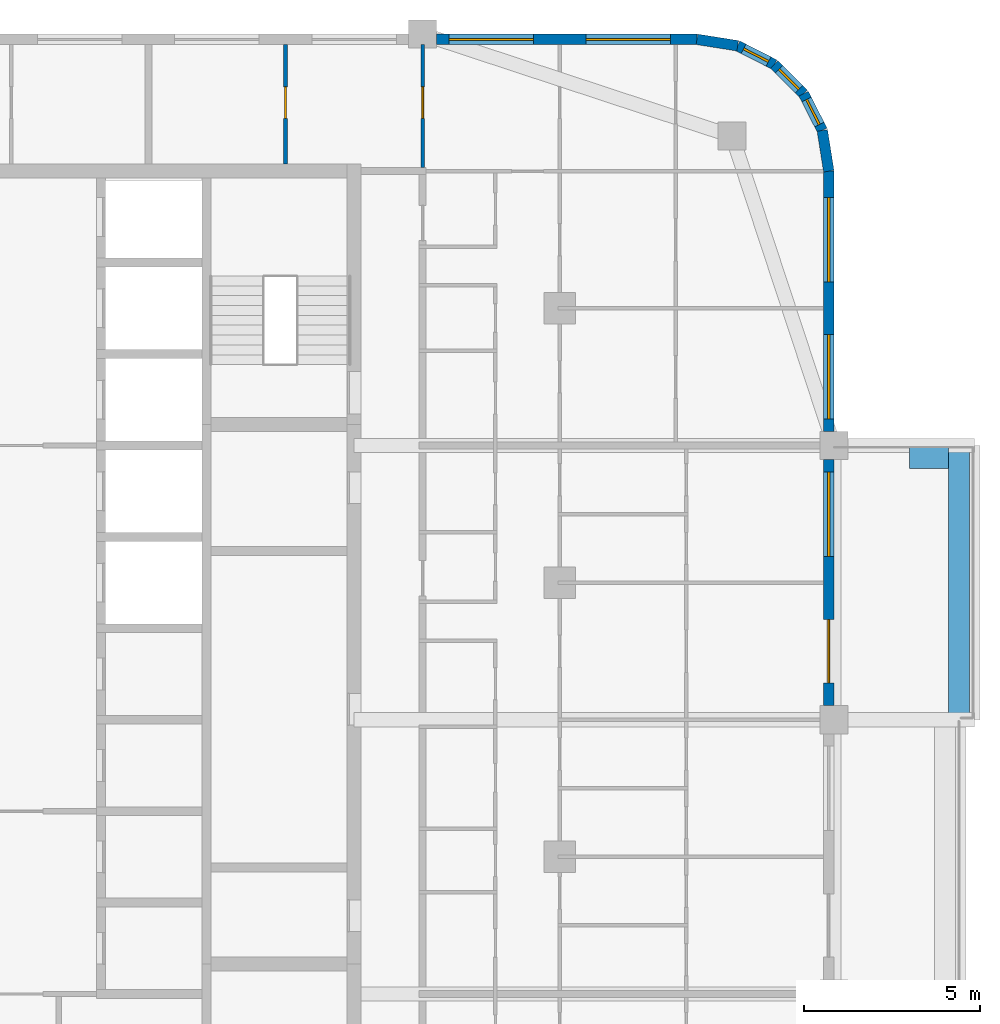
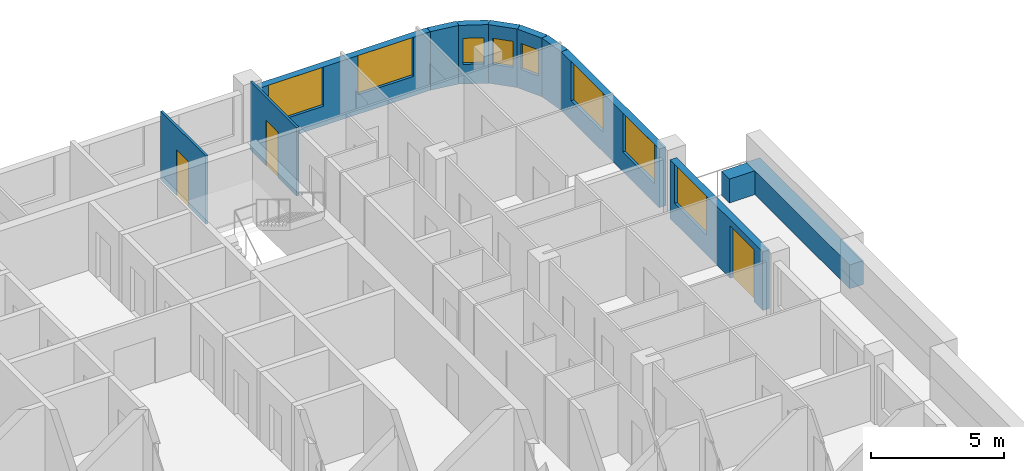
# One storey, part 12 of 16: 12 walls, 8 windows, 3 doors, 11 openings.
"""IFC4 building model written with IfcOpenShell, lengths in metres."""

from ifc_helpers import new_model, si_unit, direction, frame, frame_2d, origin, place, context, subcontext, project, spatial, rectangle, extrude, material, layer, layer_set, type_object, element, fill, save


model = new_model("IFC4")

# Units and contexts
model_context = context("Model", 3, precision=1e-05, world=origin(), true_north=direction((0.0, 1.0)))
body_context = subcontext(model_context, "Body", "Model", "MODEL_VIEW")
ifc_project = project(units=[si_unit("LENGTHUNIT", "METRE"), si_unit("AREAUNIT", "SQUARE_METRE"), si_unit("VOLUMEUNIT", "CUBIC_METRE"), si_unit("PLANEANGLEUNIT", "RADIAN"), si_unit("MASSUNIT", "GRAM", prefix="KILO")], contexts=[model_context])

# Site, building, storey
site_placement = place(None, origin())
site = spatial("IfcSite", under=ifc_project, at=site_placement, CompositionType="ELEMENT")
building_placement = place(site_placement, origin())
building = spatial("IfcBuilding", under=site, at=building_placement, Name="Ludao Terraces", CompositionType="ELEMENT")
storey_placement = place(building_placement, frame((0.0, 0.0, 227.89990234375)))
storey = spatial("IfcBuildingStorey", under=building, at=storey_placement, Name="L62", CompositionType="ELEMENT", Elevation=227.89990234375)

# Walls
ifc_material_1 = material(Name="Concrete C40", Category="concrete")
ifc_layer_1 = layer(ifc_material_1, 0.60009765625)
ifc_layer_set_1 = layer_set([ifc_layer_1], Name="ENV Planter trough 600")
wall_type_1 = type_object("IfcWallType", Name="ENV Planter trough 600", PredefinedType="USERDEFINED", material=ifc_layer_set_1)
wall_1_placement = place(storey_placement, frame((111.949951171875, 68.89990234375, 0.0), z_axis=(0.0, 0.0, 1.0), x_axis=(0.0, 1.0, 0.0)))
element("IfcWall", 1, at=wall_1_placement, inside=storey, type_object=wall_type_1, Name="PL-L62-E3", ObjectType="PLANTER", PredefinedType="USERDEFINED", context=body_context, shape_type="SweptSolid", body=[
    extrude(rectangle(XDim=7.800048828125, YDim=0.60009765625, at=frame_2d((3.89990234375, 0.0))), origin(), (0.0, 0.0, 1.0), 1.10009765625),
])
wall_2_placement = place(storey_placement, frame((111.64990234375, 76.35009765625, 0.0), z_axis=(0.0, 0.0, 1.0), x_axis=(-1.0, 0.0, 0.0)))
element("IfcWall", 2, at=wall_2_placement, inside=storey, type_object=wall_type_1, Name="PL-L62-E3-SB", ObjectType="PLANTER", PredefinedType="USERDEFINED", context=body_context, shape_type="SweptSolid", body=[
    extrude(rectangle(XDim=1.099853515625, YDim=0.60009765625, at=frame_2d((0.5498046875, 0.0))), origin(), (0.0, 0.0, 1.0), 1.10009765625),
])

# Wall, openings, door, window
ifc_material_2 = material(Name="Granite cladding", Category="masonry")
ifc_layer_2 = layer(ifc_material_2, 0.0400390625, Category="stone")
ifc_material_3 = material(Name="Mineral wool")
ifc_layer_3 = layer(ifc_material_3, 0.06005859375)
ifc_layer_4 = layer(ifc_material_1, 0.199951171875, Category="concrete")
ifc_layer_set_2 = layer_set([ifc_layer_2, ifc_layer_3, ifc_layer_4], Name="ENV Stone-clad wall 300")
wall_type_2 = type_object("IfcWallType", Name="ENV Stone-clad wall 300", PredefinedType="SOLIDWALL", material=ifc_layer_set_2)
wall_3_placement = place(storey_placement, frame((108.25, 69.300048828125, 0.0), z_axis=(0.0, 0.0, 1.0), x_axis=(0.0, 1.0, 0.0)))
wall_3 = element("IfcWall", 3, at=wall_3_placement, inside=storey, type_object=wall_type_2, Name="EW-L62-E4", PredefinedType="SOLIDWALL", context=body_context, shape_type="SweptSolid", body=[
    extrude(rectangle(XDim=7.0, YDim=0.300048828125, at=frame_2d((3.5, 0.0))), origin(), (0.0, 0.0, 1.0), 2.7001953125),
])
opening_1_placement = place(wall_3_placement, frame((0.64990234375, 0.0, 0.0)))
opening_1 = element("IfcOpeningElement", 4, at=opening_1_placement, cuts=wall_3, Name="Opening BD", PredefinedType="OPENING", context=body_context, shape_type="SweptSolid", body=[
    extrude(rectangle(XDim=1.800048828125, YDim=2.39990234375, at=frame_2d((0.89990234375, 1.199951171875))), frame((0.0, 0.16015625, 0.0), z_axis=(0.0, -1.0, 0.0), x_axis=(1.0, 0.0, 0.0)), (0.0, 0.0, 1.0), 0.320068359375),
])
opening_2_placement = place(wall_3_placement, frame((4.25, 0.0, 0.89990234375)))
opening_2 = element("IfcOpeningElement", 5, at=opening_2_placement, cuts=wall_3, Name="Opening W1", PredefinedType="OPENING", context=body_context, shape_type="SweptSolid", body=[
    extrude(rectangle(XDim=2.39990234375, YDim=1.800048828125, at=frame_2d((1.199951171875, 0.89990234375))), frame((0.0, 0.16015625, 0.0), z_axis=(0.0, -1.0, 0.0), x_axis=(1.0, 0.0, 0.0)), (0.0, 0.0, 1.0), 0.320068359375),
])
ifc_material_4 = material(Name="Aluminium glazed door", Category="aluminium")
ifc_layer_5 = layer(ifc_material_4, 0.06005859375)
ifc_layer_set_3 = layer_set([ifc_layer_5], Name="ENV Balcony door BD 1800x2400")
door_type_1 = type_object("IfcDoorType", Name="ENV Balcony door BD 1800x2400", OperationType="DOUBLE_DOOR_SINGLE_SWING", PredefinedType="DOOR", material=ifc_layer_set_3)
door_1_placement = place(opening_1_placement, origin())
door_1 = element("IfcDoor", 6, at=door_1_placement, inside=storey, type_object=door_type_1, Name="BD-L62-E4-1", OperationType="DOUBLE_DOOR_SINGLE_SWING", OverallHeight=2.39990234375, OverallWidth=1.800048828125, PredefinedType="DOOR", context=body_context, shape_type="SweptSolid", body=[
    extrude(rectangle(XDim=1.800048828125, YDim=2.39990234375, at=frame_2d((0.89990234375, 1.199951171875))), frame((0.0, 0.02490234375, 0.0), z_axis=(0.0, -1.0, 0.0), x_axis=(1.0, 0.0, 0.0)), (0.0, 0.0, 1.0), 0.050048828125),
])
fill(opening_1, door_1)
ifc_material_5 = material(Name="Clear glass in aluminium frame", Category="aluminium")
ifc_layer_6 = layer(ifc_material_5, 0.06005859375)
ifc_layer_set_4 = layer_set([ifc_layer_6], Name="ENV Window W1 2400x1800")
window_type_1 = type_object("IfcWindowType", Name="ENV Window W1 2400x1800", PartitioningType="DOUBLE_PANEL_VERTICAL", PredefinedType="WINDOW", material=ifc_layer_set_4)
window_1_placement = place(opening_2_placement, origin())
window_1 = element("IfcWindow", 7, at=window_1_placement, inside=storey, type_object=window_type_1, Name="W-L62-E4-2", OverallHeight=1.800048828125, OverallWidth=2.39990234375, PartitioningType="DOUBLE_PANEL_VERTICAL", PredefinedType="WINDOW", context=body_context, shape_type="SweptSolid", body=[
    extrude(rectangle(XDim=2.39990234375, YDim=1.800048828125, at=frame_2d((1.199951171875, 0.89990234375))), frame((0.0, 0.030029296875, 0.0), z_axis=(0.0, -1.0, 0.0), x_axis=(1.0, 0.0, 0.0)), (0.0, 0.0, 1.0), 0.06005859375),
])
fill(opening_2, window_1)

# Wall, openings, windows
wall_4_placement = place(storey_placement, frame((108.25, 77.10009765625, 0.0), z_axis=(0.0, 0.0, 1.0), x_axis=(0.0, 1.0, 0.0)))
wall_4 = element("IfcWall", 8, at=wall_4_placement, inside=storey, type_object=wall_type_2, Name="EW-L62-E5", PredefinedType="SOLIDWALL", context=body_context, shape_type="SweptSolid", body=[
    extrude(rectangle(XDim=7.39990234375, YDim=0.300048828125, at=frame_2d((3.699951171875, 0.0))), origin(), (0.0, 0.0, 1.0), 2.7001953125),
])
opening_3_placement = place(wall_4_placement, frame((0.35009765625, 0.0, 0.89990234375)))
opening_3 = element("IfcOpeningElement", 9, at=opening_3_placement, cuts=wall_4, Name="Opening W1", PredefinedType="OPENING", context=body_context, shape_type="SweptSolid", body=[
    extrude(rectangle(XDim=2.39990234375, YDim=1.800048828125, at=frame_2d((1.199951171875, 0.89990234375))), frame((0.0, 0.16015625, 0.0), z_axis=(0.0, -1.0, 0.0), x_axis=(1.0, 0.0, 0.0)), (0.0, 0.0, 1.0), 0.320068359375),
])
opening_4_placement = place(wall_4_placement, frame((4.25, 0.0, 0.89990234375)))
opening_4 = element("IfcOpeningElement", 10, at=opening_4_placement, cuts=wall_4, Name="Opening W1", PredefinedType="OPENING", context=body_context, shape_type="SweptSolid", body=[
    extrude(rectangle(XDim=2.39990234375, YDim=1.800048828125, at=frame_2d((1.199951171875, 0.89990234375))), frame((0.0, 0.16015625, 0.0), z_axis=(0.0, -1.0, 0.0), x_axis=(1.0, 0.0, 0.0)), (0.0, 0.0, 1.0), 0.320068359375),
])
window_2_placement = place(opening_3_placement, origin())
window_2 = element("IfcWindow", 11, at=window_2_placement, inside=storey, type_object=window_type_1, Name="W-L62-E5-1", OverallHeight=1.800048828125, OverallWidth=2.39990234375, PartitioningType="DOUBLE_PANEL_VERTICAL", PredefinedType="WINDOW", context=body_context, shape_type="SweptSolid", body=[
    extrude(rectangle(XDim=2.39990234375, YDim=1.800048828125, at=frame_2d((1.199951171875, 0.89990234375))), frame((0.0, 0.030029296875, 0.0), z_axis=(0.0, -1.0, 0.0), x_axis=(1.0, 0.0, 0.0)), (0.0, 0.0, 1.0), 0.06005859375),
])
fill(opening_3, window_2)
window_3_placement = place(opening_4_placement, origin())
window_3 = element("IfcWindow", 12, at=window_3_placement, inside=storey, type_object=window_type_1, Name="W-L62-E5-2", OverallHeight=1.800048828125, OverallWidth=2.39990234375, PartitioningType="DOUBLE_PANEL_VERTICAL", PredefinedType="WINDOW", context=body_context, shape_type="SweptSolid", body=[
    extrude(rectangle(XDim=2.39990234375, YDim=1.800048828125, at=frame_2d((1.199951171875, 0.89990234375))), frame((0.0, 0.030029296875, 0.0), z_axis=(0.0, -1.0, 0.0), x_axis=(1.0, 0.0, 0.0)), (0.0, 0.0, 1.0), 0.06005859375),
])
fill(opening_4, window_3)

wall_5_placement = place(storey_placement, frame((97.10009765625, 88.25, 0.0), z_axis=(0.0, 0.0, 1.0), x_axis=(1.0, 0.0, 0.0)))
wall_5 = element("IfcWall", 13, at=wall_5_placement, inside=storey, type_object=wall_type_2, Name="EW-L62-N3", PredefinedType="SOLIDWALL", context=body_context, shape_type="SweptSolid", body=[
    extrude(rectangle(XDim=7.39990234375, YDim=0.300048828125, at=frame_2d((3.699951171875, 0.0))), origin(), (0.0, 0.0, 1.0), 2.7001953125),
])
opening_5_placement = place(wall_5_placement, frame((0.35009765625, 0.0, 0.89990234375)))
opening_5 = element("IfcOpeningElement", 14, at=opening_5_placement, cuts=wall_5, Name="Opening W1", PredefinedType="OPENING", context=body_context, shape_type="SweptSolid", body=[
    extrude(rectangle(XDim=2.39990234375, YDim=1.800048828125, at=frame_2d((1.199951171875, 0.89990234375))), frame((0.0, 0.16015625, 0.0), z_axis=(0.0, -1.0, 0.0), x_axis=(1.0, 0.0, 0.0)), (0.0, 0.0, 1.0), 0.320068359375),
])
opening_6_placement = place(wall_5_placement, frame((4.25, 0.0, 0.89990234375)))
opening_6 = element("IfcOpeningElement", 15, at=opening_6_placement, cuts=wall_5, Name="Opening W1", PredefinedType="OPENING", context=body_context, shape_type="SweptSolid", body=[
    extrude(rectangle(XDim=2.39990234375, YDim=1.800048828125, at=frame_2d((1.199951171875, 0.89990234375))), frame((0.0, 0.16015625, 0.0), z_axis=(0.0, -1.0, 0.0), x_axis=(1.0, 0.0, 0.0)), (0.0, 0.0, 1.0), 0.320068359375),
])
window_4_placement = place(opening_5_placement, origin())
window_4 = element("IfcWindow", 16, at=window_4_placement, inside=storey, type_object=window_type_1, Name="W-L62-N3-1", OverallHeight=1.800048828125, OverallWidth=2.39990234375, PartitioningType="DOUBLE_PANEL_VERTICAL", PredefinedType="WINDOW", context=body_context, shape_type="SweptSolid", body=[
    extrude(rectangle(XDim=2.39990234375, YDim=1.800048828125, at=frame_2d((1.199951171875, 0.89990234375))), frame((0.0, 0.030029296875, 0.0), z_axis=(0.0, -1.0, 0.0), x_axis=(1.0, 0.0, 0.0)), (0.0, 0.0, 1.0), 0.06005859375),
])
fill(opening_5, window_4)
window_5_placement = place(opening_6_placement, origin())
window_5 = element("IfcWindow", 17, at=window_5_placement, inside=storey, type_object=window_type_1, Name="W-L62-N3-2", OverallHeight=1.800048828125, OverallWidth=2.39990234375, PartitioningType="DOUBLE_PANEL_VERTICAL", PredefinedType="WINDOW", context=body_context, shape_type="SweptSolid", body=[
    extrude(rectangle(XDim=2.39990234375, YDim=1.800048828125, at=frame_2d((1.199951171875, 0.89990234375))), frame((0.0, 0.030029296875, 0.0), z_axis=(0.0, -1.0, 0.0), x_axis=(1.0, 0.0, 0.0)), (0.0, 0.0, 1.0), 0.06005859375),
])
fill(opening_6, window_5)

# Wall
wall_6_placement = place(storey_placement, frame((108.25, 84.5, 0.0), z_axis=(0.0, 0.0, 1.0), x_axis=(-0.156496880861, 0.987678452879, 0.0)))
element("IfcWall", 18, at=wall_6_placement, inside=storey, type_object=wall_type_2, Name="EW-L62-NE1", PredefinedType="SOLIDWALL", context=body_context, shape_type="SweptSolid", body=[
    extrude(rectangle(XDim=1.173095703125, YDim=0.300048828125, at=frame_2d((0.58642578125, 0.0))), origin(), (0.0, 0.0, 1.0), 2.7001953125),
])

# Wall, opening, window
wall_7_placement = place(storey_placement, frame((108.06640625, 85.65869140625, 0.0), z_axis=(0.0, 0.0, 1.0), x_axis=(-0.454025524128, 0.890988677504, 0.0)))
wall_7 = element("IfcWall", 19, at=wall_7_placement, inside=storey, type_object=wall_type_2, Name="EW-L62-NE2", PredefinedType="SOLIDWALL", context=body_context, shape_type="SweptSolid", body=[
    extrude(rectangle(XDim=1.17333984375, YDim=0.300048828125, at=frame_2d((0.586669921875, 0.0))), origin(), (0.0, 0.0, 1.0), 2.7001953125),
])
opening_7_placement = place(wall_7_placement, frame((0.1865234375, 0.0, 0.89990234375)))
opening_7 = element("IfcOpeningElement", 20, at=opening_7_placement, cuts=wall_7, Name="Opening W3", PredefinedType="OPENING", context=body_context, shape_type="SweptSolid", body=[
    extrude(rectangle(XDim=0.800048828125, YDim=1.199951171875, at=frame_2d((0.39990234375, 0.60009765625))), frame((0.0, 0.16015625, 0.0), z_axis=(0.0, -1.0, 0.0), x_axis=(1.0, 0.0, 0.0)), (0.0, 0.0, 1.0), 0.320068359375),
])
ifc_layer_7 = layer(ifc_material_5, 0.06005859375)
ifc_layer_set_5 = layer_set([ifc_layer_7], Name="ENV Window W3 800x1200")
window_type_2 = type_object("IfcWindowType", Name="ENV Window W3 800x1200", PartitioningType="SINGLE_PANEL", PredefinedType="WINDOW", material=ifc_layer_set_5)
window_6_placement = place(opening_7_placement, origin())
window_6 = element("IfcWindow", 21, at=window_6_placement, inside=storey, type_object=window_type_2, Name="W-L62-NE2", OverallHeight=1.199951171875, OverallWidth=0.800048828125, PartitioningType="SINGLE_PANEL", PredefinedType="WINDOW", context=body_context, shape_type="SweptSolid", body=[
    extrude(rectangle(XDim=0.800048828125, YDim=1.199951171875, at=frame_2d((0.39990234375, 0.60009765625))), frame((0.0, 0.030029296875, 0.0), z_axis=(0.0, -1.0, 0.0), x_axis=(1.0, 0.0, 0.0)), (0.0, 0.0, 1.0), 0.06005859375),
])
fill(opening_7, window_6)

wall_8_placement = place(storey_placement, frame((107.53369140625, 86.7041015625, 0.0), z_axis=(0.0, 0.0, 1.0), x_axis=(-0.707106781187, 0.707106781187, 0.0)))
wall_8 = element("IfcWall", 22, at=wall_8_placement, inside=storey, type_object=wall_type_2, Name="EW-L62-NE3", PredefinedType="SOLIDWALL", context=body_context, shape_type="SweptSolid", body=[
    extrude(rectangle(XDim=1.173095703125, YDim=0.300048828125, at=frame_2d((0.58642578125, 0.0))), origin(), (0.0, 0.0, 1.0), 2.7001953125),
])
opening_8_placement = place(wall_8_placement, frame((0.1865234375, 0.0, 0.89990234375)))
opening_8 = element("IfcOpeningElement", 23, at=opening_8_placement, cuts=wall_8, Name="Opening W3", PredefinedType="OPENING", context=body_context, shape_type="SweptSolid", body=[
    extrude(rectangle(XDim=0.800048828125, YDim=1.199951171875, at=frame_2d((0.39990234375, 0.60009765625))), frame((0.0, 0.16015625, 0.0), z_axis=(0.0, -1.0, 0.0), x_axis=(1.0, 0.0, 0.0)), (0.0, 0.0, 1.0), 0.320068359375),
])
window_7_placement = place(opening_8_placement, origin())
window_7 = element("IfcWindow", 24, at=window_7_placement, inside=storey, type_object=window_type_2, Name="W-L62-NE3", OverallHeight=1.199951171875, OverallWidth=0.800048828125, PartitioningType="SINGLE_PANEL", PredefinedType="WINDOW", context=body_context, shape_type="SweptSolid", body=[
    extrude(rectangle(XDim=0.800048828125, YDim=1.199951171875, at=frame_2d((0.39990234375, 0.60009765625))), frame((0.0, 0.030029296875, 0.0), z_axis=(0.0, -1.0, 0.0), x_axis=(1.0, 0.0, 0.0)), (0.0, 0.0, 1.0), 0.06005859375),
])
fill(opening_8, window_7)

wall_9_placement = place(storey_placement, frame((106.7041015625, 87.53369140625, 0.0), z_axis=(0.0, 0.0, 1.0), x_axis=(-0.890988677504, 0.454025524128, 0.0)))
wall_9 = element("IfcWall", 25, at=wall_9_placement, inside=storey, type_object=wall_type_2, Name="EW-L62-NE4", PredefinedType="SOLIDWALL", context=body_context, shape_type="SweptSolid", body=[
    extrude(rectangle(XDim=1.17333984375, YDim=0.300048828125, at=frame_2d((0.586669921875, 0.0))), origin(), (0.0, 0.0, 1.0), 2.7001953125),
])
opening_9_placement = place(wall_9_placement, frame((0.1865234375, 0.0, 0.89990234375)))
opening_9 = element("IfcOpeningElement", 26, at=opening_9_placement, cuts=wall_9, Name="Opening W3", PredefinedType="OPENING", context=body_context, shape_type="SweptSolid", body=[
    extrude(rectangle(XDim=0.800048828125, YDim=1.199951171875, at=frame_2d((0.39990234375, 0.60009765625))), frame((0.0, 0.16015625, 0.0), z_axis=(0.0, -1.0, 0.0), x_axis=(1.0, 0.0, 0.0)), (0.0, 0.0, 1.0), 0.320068359375),
])
window_8_placement = place(opening_9_placement, origin())
window_8 = element("IfcWindow", 27, at=window_8_placement, inside=storey, type_object=window_type_2, Name="W-L62-NE4", OverallHeight=1.199951171875, OverallWidth=0.800048828125, PartitioningType="SINGLE_PANEL", PredefinedType="WINDOW", context=body_context, shape_type="SweptSolid", body=[
    extrude(rectangle(XDim=0.800048828125, YDim=1.199951171875, at=frame_2d((0.39990234375, 0.60009765625))), frame((0.0, 0.030029296875, 0.0), z_axis=(0.0, -1.0, 0.0), x_axis=(1.0, 0.0, 0.0)), (0.0, 0.0, 1.0), 0.06005859375),
])
fill(opening_9, window_8)

# Wall
wall_10_placement = place(storey_placement, frame((105.65869140625, 88.06640625, 0.0), z_axis=(0.0, 0.0, 1.0), x_axis=(-0.987678452879, 0.156496880861, 0.0)))
element("IfcWall", 28, at=wall_10_placement, inside=storey, type_object=wall_type_2, Name="EW-L62-NE5", PredefinedType="SOLIDWALL", context=body_context, shape_type="SweptSolid", body=[
    extrude(rectangle(XDim=1.173095703125, YDim=0.300048828125, at=frame_2d((0.58642578125, 0.0))), origin(), (0.0, 0.0, 1.0), 2.7001953125),
])

# Wall, opening, door
ifc_material_6 = material(Name="Gypsum plasterboard", Category="gypsum")
ifc_layer_8 = layer(ifc_material_6, 0.012451171875, Category="gypsum")
ifc_layer_9 = layer(ifc_material_3, 0.06005859375, Name="insulation")
ifc_material_7 = material(Name="Steel Q235", Category="steel")
ifc_layer_10 = layer(ifc_material_7, 0.014892578125, Name="stud")
ifc_layer_11 = layer(ifc_material_6, 0.012451171875, Category="gypsum")
ifc_layer_set_6 = layer_set([ifc_layer_8, ifc_layer_9, ifc_layer_10, ifc_layer_11], Name="INT Partition 100")
wall_type_3 = type_object("IfcWallType", Name="INT Partition 100", PredefinedType="PARTITIONING", material=ifc_layer_set_6)
wall_11_placement = place(storey_placement, frame((92.800048828125, 84.7001953125, 0.0), z_axis=(0.0, 0.0, 1.0), x_axis=(0.0, 1.0, 0.0)))
wall_11 = element("IfcWall", 29, at=wall_11_placement, inside=storey, type_object=wall_type_3, Name="PW-L62-PW087", PredefinedType="PARTITIONING", context=body_context, shape_type="SweptSolid", body=[
    extrude(rectangle(XDim=3.39990234375, YDim=0.10009765625, at=frame_2d((1.699951171875, 0.0))), origin(), (0.0, 0.0, 1.0), 3.150146484375),
])
opening_10_placement = place(wall_11_placement, frame((1.2998046875, 0.0, 0.0)))
opening_10 = element("IfcOpeningElement", 30, at=opening_10_placement, cuts=wall_11, Name="Opening R22-137", PredefinedType="OPENING", context=body_context, shape_type="SweptSolid", body=[
    extrude(rectangle(XDim=0.89990234375, YDim=2.10009765625, at=frame_2d((0.449951171875, 1.050048828125))), frame((0.0, 0.06005859375, 0.0), z_axis=(0.0, -1.0, 0.0), x_axis=(1.0, 0.0, 0.0)), (0.0, 0.0, 1.0), 0.1201171875),
])
ifc_material_8 = material(Name="Timber door leaf", Category="wood")
door_type_2 = type_object("IfcDoorType", Name="INT Room door 900", OperationType="SINGLE_SWING_LEFT", PredefinedType="DOOR", material=ifc_material_8)
door_2_placement = place(opening_10_placement, origin())
door_2 = element("IfcDoor", 31, at=door_2_placement, inside=storey, type_object=door_type_2, Name="DOOR 137", OperationType="SINGLE_SWING_RIGHT", OverallHeight=2.10009765625, OverallWidth=0.89990234375, PredefinedType="DOOR", context=body_context, shape_type="SweptSolid", body=[
    extrude(rectangle(XDim=0.89990234375, YDim=2.10009765625, at=frame_2d((0.449951171875, 1.050048828125))), frame((0.0, 0.02490234375, 0.0), z_axis=(0.0, -1.0, 0.0), x_axis=(1.0, 0.0, 0.0)), (0.0, 0.0, 1.0), 0.050048828125),
])
fill(opening_10, door_2)

wall_12_placement = place(storey_placement, frame((96.699951171875, 84.60009765625, 0.0), z_axis=(0.0, 0.0, 1.0), x_axis=(0.0, 1.0, 0.0)))
wall_12 = element("IfcWall", 32, at=wall_12_placement, inside=storey, type_object=wall_type_3, Name="PW-L62-PW090", PredefinedType="PARTITIONING", context=body_context, shape_type="SweptSolid", body=[
    extrude(rectangle(XDim=3.5, YDim=0.10009765625, at=frame_2d((1.75, 0.0))), origin(), (0.0, 0.0, 1.0), 3.150146484375),
])
opening_11_placement = place(wall_12_placement, frame((1.39990234375, 0.0, 0.0)))
opening_11 = element("IfcOpeningElement", 33, at=opening_11_placement, cuts=wall_12, Name="Opening R22-138", PredefinedType="OPENING", context=body_context, shape_type="SweptSolid", body=[
    extrude(rectangle(XDim=0.89990234375, YDim=2.10009765625, at=frame_2d((0.449951171875, 1.050048828125))), frame((0.0, 0.06005859375, 0.0), z_axis=(0.0, -1.0, 0.0), x_axis=(1.0, 0.0, 0.0)), (0.0, 0.0, 1.0), 0.1201171875),
])
door_3_placement = place(opening_11_placement, origin())
door_3 = element("IfcDoor", 34, at=door_3_placement, inside=storey, type_object=door_type_2, Name="DOOR 138", OperationType="SINGLE_SWING_RIGHT", OverallHeight=2.10009765625, OverallWidth=0.89990234375, PredefinedType="DOOR", context=body_context, shape_type="SweptSolid", body=[
    extrude(rectangle(XDim=0.89990234375, YDim=2.10009765625, at=frame_2d((0.449951171875, 1.050048828125))), frame((0.0, 0.02490234375, 0.0), z_axis=(0.0, -1.0, 0.0), x_axis=(1.0, 0.0, 0.0)), (0.0, 0.0, 1.0), 0.050048828125),
])
fill(opening_11, door_3)

save(model, "model.ifc")
